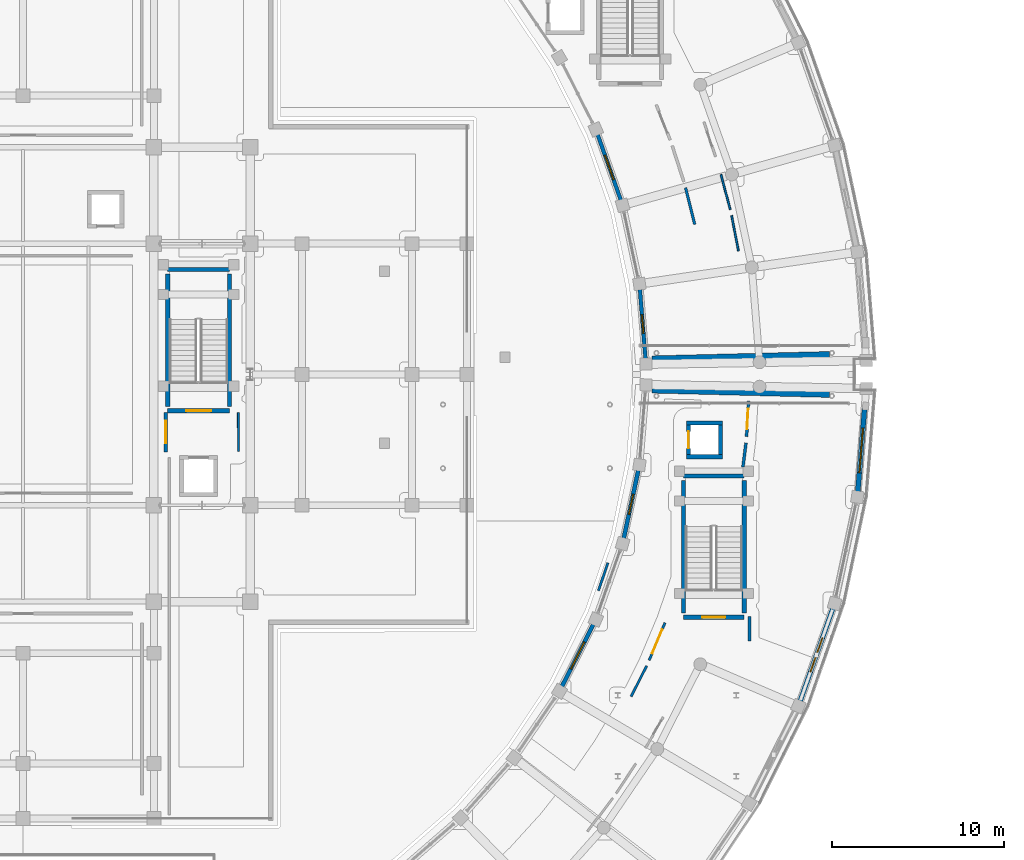
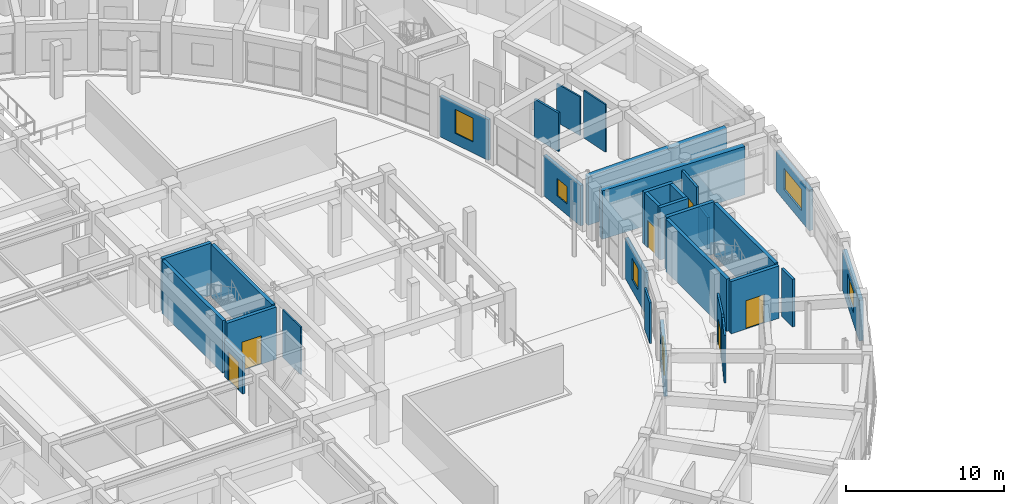
# One storey, part 62 of 87: 31 walls, 6 doors, 6 windows, 12 openings.
"""IFC4 building model written with IfcOpenShell, lengths in metres."""

import ifcopenshell
import ifcopenshell.guid

model = None  # the IFC model being written
_history = None  # IfcOwnerHistory: only IFC2X3 demands one
_inside = {}  # id of a spatial element -> (the spatial element, [elements in it])
_under = {}  # id of a project, library or spatial element -> (it, [spatial elements below it])
_declared = {}  # id of a project -> (the project, [libraries it declares])
_typed = {}  # id of a type object -> (the type object, [elements of that type])
_made_of = {}  # id of a material, layer set ... -> (it, [elements and type objects made of it])


def new_model(schema):
    """Start an empty IFC model of exactly this schema.

    Asked for "IFC4X3", IfcOpenShell would pick the latest addendum, in which some entities
    have other attributes; the version numbers below select the first issue.
    IFC2X3 requires an IfcOwnerHistory on every rooted entity: one is made here for all.
    """
    global model, _history
    if schema == "IFC4X3":
        model = ifcopenshell.file(schema_version=(4, 3, 0, 0))
    else:
        model = ifcopenshell.file(schema=schema)
    _inside.clear()
    _under.clear()
    _declared.clear()
    _typed.clear()
    _made_of.clear()
    _history = None
    if model.schema == "IFC2X3":
        org = make("IfcOrganization", Name="unknown")
        user = make(
            "IfcPersonAndOrganization",
            ThePerson=make("IfcPerson", FamilyName="unknown"),
            TheOrganization=org,
        )
        app = make(
            "IfcApplication",
            ApplicationDeveloper=org,
            Version="unknown",
            ApplicationFullName="unknown",
            ApplicationIdentifier="unknown",
        )
        _history = make(
            "IfcOwnerHistory",
            OwningUser=user,
            OwningApplication=app,
            ChangeAction="ADDED",
            CreationDate=0,
        )
    return model


def make(cls, **values):
    """One entity of the class cls with the attributes given. An attribute that is None is left unset."""
    return model.create_entity(
        cls, **{name: value for name, value in values.items() if value is not None}
    )


def rooted(cls, **values):
    """An entity with a GlobalId (a new one), such as an element, a storey or a relation."""
    return make(cls, GlobalId=ifcopenshell.guid.new(), OwnerHistory=_history, **values)


def si_unit(unit_type, name, prefix=None):
    """IfcSIUnit, for example si_unit("LENGTHUNIT", "METRE", prefix="MILLI")."""
    return make("IfcSIUnit", UnitType=unit_type, Prefix=prefix, Name=name)


def assignment(units):
    """IfcUnitAssignment: the units of a project."""
    return None if units is None else make("IfcUnitAssignment", Units=units)


def point(xyz):
    """IfcCartesianPoint."""
    return None if xyz is None else make("IfcCartesianPoint", Coordinates=xyz)


def direction(xyz):
    """IfcDirection."""
    return None if xyz is None else make("IfcDirection", DirectionRatios=xyz)


def frame(location, z_axis=None, x_axis=None):
    """IfcAxis2Placement3D, a coordinate frame: its origin and axes. An axis left out is left unset."""
    return make(
        "IfcAxis2Placement3D",
        Location=point(location),
        Axis=direction(z_axis),
        RefDirection=direction(x_axis),
    )


def frame_2d(location, x_axis=None):
    """IfcAxis2Placement2D, a coordinate frame in the plane: its origin and x axis."""
    return make(
        "IfcAxis2Placement2D", Location=point(location), RefDirection=direction(x_axis)
    )


def origin():
    """The frame at (0, 0, 0) with its axes left unset."""
    return frame((0.0, 0.0, 0.0))


def place(relative_to, where):
    """IfcLocalPlacement: puts the frame where relative to a parent placement (None: the world)."""
    return make(
        "IfcLocalPlacement", PlacementRelTo=relative_to, RelativePlacement=where
    )


def context(
    kind, dimensions, precision=None, world=None, true_north=None, identifier=None
):
    """IfcGeometricRepresentationContext, for example the 3D "Model" context."""
    return make(
        "IfcGeometricRepresentationContext",
        ContextIdentifier=identifier,
        ContextType=kind,
        CoordinateSpaceDimension=dimensions,
        Precision=precision,
        WorldCoordinateSystem=world,
        TrueNorth=true_north,
    )


def subcontext(parent, identifier, kind, view, scale=None):
    """IfcGeometricRepresentationSubContext, for example "Body" below "Model"."""
    return make(
        "IfcGeometricRepresentationSubContext",
        ContextIdentifier=identifier,
        ContextType=kind,
        ParentContext=parent,
        TargetScale=scale,
        TargetView=view,
    )


def project(units=None, contexts=None):
    """IfcProject with its units and contexts."""
    return rooted(
        "IfcProject",
        Name="project",
        RepresentationContexts=contexts,
        UnitsInContext=assignment(units),
    )


def spatial(cls, under=None, at=None, **own):
    """A site, building, storey or space (cls), placed at a placement, below another one or the project."""
    s = rooted(cls, ObjectPlacement=at, **own)
    if under is not None:
        _under.setdefault(under.id(), (under, []))[1].append(s)
    return s


def profile(cls, at=None, kind="AREA", **sizes):
    """A parametric profile (cls). Its sizes go by their IFC names, for example OverallWidth=200.0."""
    return make(cls, ProfileType=kind, Position=at, **sizes)


def rectangle(**sizes):
    """IfcRectangleProfileDef."""
    return profile("IfcRectangleProfileDef", **sizes)


def extrude(swept, where, along, depth):
    """IfcExtrudedAreaSolid: the profile swept, set in the frame where, extruded along a direction by depth."""
    return make(
        "IfcExtrudedAreaSolid",
        SweptArea=swept,
        Position=where,
        ExtrudedDirection=direction(along),
        Depth=depth,
    )


def shape(context_of_items, identifier, shape_type, items):
    """IfcShapeRepresentation: the items that make up one representation, for example the "Body"."""
    return make(
        "IfcShapeRepresentation",
        ContextOfItems=context_of_items,
        RepresentationIdentifier=identifier,
        RepresentationType=shape_type,
        Items=items,
    )


def material(Name=None, Category=None):
    """IfcMaterial."""
    return make("IfcMaterial", Name=Name, Category=Category)


def layer(
    of_material, thickness, ventilated=None, Name=None, Category=None, Priority=None
):
    """IfcMaterialLayer: one layer of a wall or slab, of a material (None: an air gap)."""
    return make(
        "IfcMaterialLayer",
        Material=of_material,
        LayerThickness=thickness,
        IsVentilated=ventilated,
        Name=Name,
        Category=Category,
        Priority=Priority,
    )


def layer_set(layers, Name=None):
    """IfcMaterialLayerSet."""
    return make("IfcMaterialLayerSet", MaterialLayers=layers, LayerSetName=Name)


def made_of(thing, what):
    """Note that an element or type object is made of a material, layer set ...; save() writes the relation."""
    if what is not None:
        _made_of.setdefault(what.id(), (what, []))[1].append(thing)
    return thing


def type_object(cls, material=None, **own):
    """A type object (cls), such as IfcWallType, which elements share."""
    return made_of(rooted(cls, **own), material)


def element(
    cls,
    number,
    at=None,
    inside=None,
    cuts=None,
    type_object=None,
    material=None,
    context=None,
    identifier="Body",
    shape_type=None,
    held_by="IfcProductDefinitionShape",
    body=None,
    shapes=None,
    **own,
):
    """One element of the class cls, such as IfcWall. Its Tag is "e" and its number.

    at: its placement. inside: the storey or other place that contains it. cuts: it is an
    opening in that element (IfcRelVoidsElement). A single representation is given by context,
    identifier, shape_type and body (its items); several are given by shapes. held_by: the class
    of the entity that holds the representations. save() writes the other relations.
    """
    e = rooted(cls, Tag="e%d" % number, ObjectPlacement=at, **own)
    if body is not None:
        shapes = [shape(context, identifier, shape_type, body)]
    if shapes is not None:
        e.Representation = make(held_by, Representations=shapes)
    if inside is not None:
        _inside.setdefault(inside.id(), (inside, []))[1].append(e)
    if cuts is not None:
        rooted(
            "IfcRelVoidsElement", RelatingBuildingElement=cuts, RelatedOpeningElement=e
        )
    if type_object is not None:
        _typed.setdefault(type_object.id(), (type_object, []))[1].append(e)
    return made_of(e, material)


def fill(opening, filler):
    """IfcRelFillsElement: the door or window that sits in an opening."""
    return rooted(
        "IfcRelFillsElement",
        RelatingOpeningElement=opening,
        RelatedBuildingElement=filler,
    )


def aggregate(whole, parts):
    """IfcRelAggregates: a whole, such as a stair, and the parts it consists of."""
    return rooted("IfcRelAggregates", RelatingObject=whole, RelatedObjects=parts)


def save(model, path):
    """Write the relations noted so far, then the file.

    IfcRelAggregates (storeys below a building ...), IfcRelContainedInSpatialStructure (elements
    in a storey), IfcRelDefinesByType, IfcRelAssociatesMaterial and IfcRelDeclares: one each for
    every whole, place, type object, material and project.
    """
    for whole, parts in _under.values():
        aggregate(whole, parts)
    for where, things in _inside.values():
        rooted(
            "IfcRelContainedInSpatialStructure",
            RelatedElements=things,
            RelatingStructure=where,
        )
    for kind, things in _typed.values():
        rooted("IfcRelDefinesByType", RelatedObjects=things, RelatingType=kind)
    for what, things in _made_of.values():
        rooted("IfcRelAssociatesMaterial", RelatedObjects=things, RelatingMaterial=what)
    for by, libraries in _declared.values():
        rooted("IfcRelDeclares", RelatingContext=by, RelatedDefinitions=libraries)
    model.write(path)


model = new_model("IFC4")

# Units and contexts
model_context = context("Model", 3, precision=1e-05, world=origin(), true_north=direction((0.0, 1.0)))
body_context = subcontext(model_context, "Body", "Model", "MODEL_VIEW")
ifc_project = project(units=[si_unit("LENGTHUNIT", "METRE"), si_unit("AREAUNIT", "SQUARE_METRE"), si_unit("VOLUMEUNIT", "CUBIC_METRE"), si_unit("PLANEANGLEUNIT", "RADIAN"), si_unit("MASSUNIT", "GRAM", prefix="KILO")], contexts=[model_context])

# Site, building, storey
site_placement = place(None, origin())
site = spatial("IfcSite", under=ifc_project, at=site_placement, CompositionType="ELEMENT")
building_placement = place(site_placement, origin())
building = spatial("IfcBuilding", under=site, at=building_placement, Name="Saryqyr Civic Hall", CompositionType="ELEMENT")
storey_placement = place(building_placement, frame((0.0, 0.0, 5.10009765625)))
storey = spatial("IfcBuildingStorey", under=building, at=storey_placement, Name="L01", CompositionType="ELEMENT", Elevation=5.10009765625)

# Wall, opening, window
ifc_material_1 = material(Name="Precast concrete C40/50", Category="concrete")
ifc_layer_1 = layer(ifc_material_1, 0.219970703125, Name="Precast concrete C40/50")
ifc_layer_set_1 = layer_set([ifc_layer_1], Name="Precast concrete C40/50")
wall_type_1 = type_object("IfcWallType", Name="ENV-WAL-EXT-220", PredefinedType="STANDARD", material=ifc_layer_set_1)
wall_1_placement = place(storey_placement, frame((93.171875, 84.88525390625, 0.0), z_axis=(0.0, 0.0, 1.0), x_axis=(-0.081095435938, 0.99670634104, 0.0)))
wall_1 = element("IfcWall", 1, at=wall_1_placement, inside=storey, type_object=wall_type_1, Name="Exterior wall V6-EWI-L01-00", PredefinedType="STANDARD", context=body_context, shape_type="SweptSolid", body=[
    extrude(rectangle(XDim=4.103271484375, YDim=0.219970703125, at=frame_2d((2.0517578125, 0.0))), origin(), (0.0, 0.0, 1.0), 3.14501953125),
])
opening_1_placement = place(wall_1_placement, frame((1.501953125, 0.0, 0.85009765625)))
opening_1 = element("IfcOpeningElement", 2, at=opening_1_placement, cuts=wall_1, Name="Opening W-01", PredefinedType="OPENING", context=body_context, shape_type="SweptSolid", body=[
    extrude(rectangle(XDim=1.10009765625, YDim=1.35009765625, at=frame_2d((0.550048828125, 0.675048828125))), frame((0.0, 0.119873046875, 0.0), z_axis=(0.0, -1.0, 0.0), x_axis=(1.0, 0.0, 0.0)), (0.0, 0.0, 1.0), 0.239990234375),
])
ifc_material_2 = material(Name="Anodised aluminium and triple low-E glass", Category="aluminium")
window_type_1 = type_object("IfcWindowType", Name="ENV-WIN-W01", PartitioningType="SINGLE_PANEL", PredefinedType="WINDOW", material=ifc_material_2)
window_1_placement = place(opening_1_placement, origin())
window_1 = element("IfcWindow", 3, at=window_1_placement, inside=storey, type_object=window_type_1, Name="Courtyard window V6-L01-00", OverallHeight=1.35009765625, OverallWidth=1.10009765625, PartitioningType="SINGLE_PANEL", PredefinedType="WINDOW", context=body_context, shape_type="SweptSolid", body=[
    extrude(rectangle(XDim=1.10009765625, YDim=1.35009765625, at=frame_2d((0.550048828125, 0.675048828125))), frame((0.0, 0.030029296875, 0.0), z_axis=(0.0, -1.0, 0.0), x_axis=(1.0, 0.0, 0.0)), (0.0, 0.0, 1.0), 0.06005859375),
])
fill(opening_1, window_1)

wall_2_placement = place(storey_placement, frame((91.738525390625, 94.1171875, 0.0), z_axis=(0.0, 0.0, 1.0), x_axis=(-0.333215363075, 0.942850742064, 0.0)))
wall_2 = element("IfcWall", 4, at=wall_2_placement, inside=storey, type_object=wall_type_1, Name="Exterior wall V6-EWI-L01-02", PredefinedType="STANDARD", context=body_context, shape_type="SweptSolid", body=[
    extrude(rectangle(XDim=4.07080078125, YDim=0.219970703125, at=frame_2d((2.035400390625, 0.0))), origin(), (0.0, 0.0, 1.0), 3.14501953125),
])
opening_2_placement = place(wall_2_placement, frame((1.284912109375, 0.0, 0.85009765625)))
opening_2 = element("IfcOpeningElement", 5, at=opening_2_placement, cuts=wall_2, Name="Opening W-26", PredefinedType="OPENING", context=body_context, shape_type="SweptSolid", body=[
    extrude(rectangle(XDim=1.5, YDim=1.85009765625, at=frame_2d((0.75, 0.925048828125))), frame((0.0, 0.119873046875, 0.0), z_axis=(0.0, -1.0, 0.0), x_axis=(1.0, 0.0, 0.0)), (0.0, 0.0, 1.0), 0.239990234375),
])
window_type_2 = type_object("IfcWindowType", Name="ENV-WIN-W26", PartitioningType="SINGLE_PANEL", PredefinedType="WINDOW", material=ifc_material_2)
window_2_placement = place(opening_2_placement, origin())
window_2 = element("IfcWindow", 6, at=window_2_placement, inside=storey, type_object=window_type_2, Name="Courtyard window V6-L01-02", OverallHeight=1.85009765625, OverallWidth=1.5, PartitioningType="SINGLE_PANEL", PredefinedType="WINDOW", context=body_context, shape_type="SweptSolid", body=[
    extrude(rectangle(XDim=1.5, YDim=1.85009765625, at=frame_2d((0.75, 0.925048828125))), frame((0.0, 0.030029296875, 0.0), z_axis=(0.0, -1.0, 0.0), x_axis=(1.0, 0.0, 0.0)), (0.0, 0.0, 1.0), 0.06005859375),
])
fill(opening_2, window_2)

ifc_layer_2 = layer(ifc_material_1, 0.239990234375, Name="Precast concrete C40/50")
ifc_layer_set_2 = layer_set([ifc_layer_2], Name="Precast concrete C40/50")
wall_type_2 = type_object("IfcWallType", Name="ENV-WAL-EXT-240", PredefinedType="STANDARD", material=ifc_layer_set_2)
wall_3_placement = place(storey_placement, frame((88.31298828125, 65.8740234375, 0.0), z_axis=(0.0, 0.0, 1.0), x_axis=(0.451901258468, 0.892067964112, 0.0)))
wall_3 = element("IfcWall", 7, at=wall_3_placement, inside=storey, type_object=wall_type_2, Name="Exterior wall V5-EWI-L01-06", PredefinedType="STANDARD", context=body_context, shape_type="SweptSolid", body=[
    extrude(rectangle(XDim=4.0361328125, YDim=0.239990234375, at=frame_2d((2.01806640625, 0.0))), origin(), (0.0, 0.0, 1.0), 3.14501953125),
])
opening_3_placement = place(wall_3_placement, frame((1.14306640625, 0.0, 0.85009765625)))
opening_3 = element("IfcOpeningElement", 8, at=opening_3_placement, cuts=wall_3, Name="Opening W-27", PredefinedType="OPENING", context=body_context, shape_type="SweptSolid", body=[
    extrude(rectangle(XDim=1.75, YDim=1.85009765625, at=frame_2d((0.875, 0.925048828125))), frame((0.0, 0.1298828125, 0.0), z_axis=(0.0, -1.0, 0.0), x_axis=(1.0, 0.0, 0.0)), (0.0, 0.0, 1.0), 0.260009765625),
])
window_type_3 = type_object("IfcWindowType", Name="ENV-WIN-W27", PartitioningType="SINGLE_PANEL", PredefinedType="WINDOW", material=ifc_material_2)
window_3_placement = place(opening_3_placement, origin())
window_3 = element("IfcWindow", 9, at=window_3_placement, inside=storey, type_object=window_type_3, Name="Courtyard window V5-L01-06", OverallHeight=1.85009765625, OverallWidth=1.75, PartitioningType="SINGLE_PANEL", PredefinedType="WINDOW", context=body_context, shape_type="SweptSolid", body=[
    extrude(rectangle(XDim=1.75, YDim=1.85009765625, at=frame_2d((0.875, 0.925048828125))), frame((0.0, 0.030029296875, 0.0), z_axis=(0.0, -1.0, 0.0), x_axis=(1.0, 0.0, 0.0)), (0.0, 0.0, 1.0), 0.06005859375),
])
fill(opening_3, window_3)

wall_4_placement = place(storey_placement, frame((91.900146484375, 74.452880859375, 0.0), z_axis=(0.0, 0.0, 1.0), x_axis=(0.208868999763, 0.977943628712, 0.0)))
wall_4 = element("IfcWall", 10, at=wall_4_placement, inside=storey, type_object=wall_type_2, Name="Exterior wall V5-EWI-L01-08", PredefinedType="STANDARD", context=body_context, shape_type="SweptSolid", body=[
    extrude(rectangle(XDim=4.09228515625, YDim=0.239990234375, at=frame_2d((2.046142578125, 0.0))), origin(), (0.0, 0.0, 1.0), 3.14501953125),
])
opening_4_placement = place(wall_4_placement, frame((1.446044921875, 0.0, 0.85009765625)))
opening_4 = element("IfcOpeningElement", 11, at=opening_4_placement, cuts=wall_4, Name="Opening W-17", PredefinedType="OPENING", context=body_context, shape_type="SweptSolid", body=[
    extrude(rectangle(XDim=1.199951171875, YDim=1.64990234375, at=frame_2d((0.60009765625, 0.824951171875))), frame((0.0, 0.1298828125, 0.0), z_axis=(0.0, -1.0, 0.0), x_axis=(1.0, 0.0, 0.0)), (0.0, 0.0, 1.0), 0.260009765625),
])
window_type_4 = type_object("IfcWindowType", Name="ENV-WIN-W17", PartitioningType="SINGLE_PANEL", PredefinedType="WINDOW", material=ifc_material_2)
window_4_placement = place(opening_4_placement, origin())
window_4 = element("IfcWindow", 12, at=window_4_placement, inside=storey, type_object=window_type_4, Name="Courtyard window V5-L01-08", OverallHeight=1.64990234375, OverallWidth=1.199951171875, PartitioningType="SINGLE_PANEL", PredefinedType="WINDOW", context=body_context, shape_type="SweptSolid", body=[
    extrude(rectangle(XDim=1.199951171875, YDim=1.64990234375, at=frame_2d((0.60009765625, 0.824951171875))), frame((0.0, 0.030029296875, 0.0), z_axis=(0.0, -1.0, 0.0), x_axis=(1.0, 0.0, 0.0)), (0.0, 0.0, 1.0), 0.06005859375),
])
fill(opening_4, window_4)

ifc_layer_3 = layer(ifc_material_1, 0.2900390625, Name="Precast concrete C40/50")
ifc_layer_set_3 = layer_set([ifc_layer_3], Name="Precast concrete C40/50")
wall_type_3 = type_object("IfcWallType", Name="ENV-WAL-EXT-290", PredefinedType="STANDARD", material=ifc_layer_set_3)
wall_5_placement = place(storey_placement, frame((104.057373046875, 70.40625, 0.0), z_axis=(0.0, 0.0, 1.0), x_axis=(-0.333208301023, -0.942853237853, 0.0)))
wall_5 = element("IfcWall", 13, at=wall_5_placement, inside=storey, type_object=wall_type_3, Name="Exterior wall V5-EWO-L01-07", PredefinedType="STANDARD", context=body_context, shape_type="SweptSolid", body=[
    extrude(rectangle(XDim=5.723876953125, YDim=0.2900390625, at=frame_2d((2.86181640625, 0.0))), origin(), (0.0, 0.0, 1.0), 3.14501953125),
])
opening_5_placement = place(wall_5_placement, frame((1.81201171875, 0.0, 0.85009765625)))
opening_5 = element("IfcOpeningElement", 14, at=opening_5_placement, cuts=wall_5, Name="Opening W-21", PredefinedType="OPENING", context=body_context, shape_type="SweptSolid", body=[
    extrude(rectangle(XDim=2.10009765625, YDim=1.64990234375, at=frame_2d((1.050048828125, 0.824951171875))), frame((0.0, 0.155029296875, 0.0), z_axis=(0.0, -1.0, 0.0), x_axis=(1.0, 0.0, 0.0)), (0.0, 0.0, 1.0), 0.31005859375),
])
window_type_5 = type_object("IfcWindowType", Name="ENV-WIN-W21", PartitioningType="SINGLE_PANEL", PredefinedType="WINDOW", material=ifc_material_2)
window_5_placement = place(opening_5_placement, origin())
window_5 = element("IfcWindow", 15, at=window_5_placement, inside=storey, type_object=window_type_5, Name="Exterior ribbon window V5-L01-07", OverallHeight=1.64990234375, OverallWidth=2.10009765625, PartitioningType="SINGLE_PANEL", PredefinedType="WINDOW", context=body_context, shape_type="SweptSolid", body=[
    extrude(rectangle(XDim=2.10009765625, YDim=1.64990234375, at=frame_2d((1.050048828125, 0.824951171875))), frame((0.0, 0.030029296875, 0.0), z_axis=(0.0, -1.0, 0.0), x_axis=(1.0, 0.0, 0.0)), (0.0, 0.0, 1.0), 0.06005859375),
])
fill(opening_5, window_5)

wall_6_placement = place(storey_placement, frame((105.897705078125, 82.01171875, 0.0), z_axis=(0.0, 0.0, 1.0), x_axis=(-0.081134010377, -0.996703201741, 0.0)))
wall_6 = element("IfcWall", 16, at=wall_6_placement, inside=storey, type_object=wall_type_3, Name="Exterior wall V5-EWO-L01-09", PredefinedType="STANDARD", context=body_context, shape_type="SweptSolid", body=[
    extrude(rectangle(XDim=4.86279296875, YDim=0.2900390625, at=frame_2d((2.431396484375, 0.0))), origin(), (0.0, 0.0, 1.0), 3.14501953125),
])
opening_6_placement = place(wall_6_placement, frame((1.131103515625, 0.0, 0.85009765625)))
opening_6 = element("IfcOpeningElement", 17, at=opening_6_placement, cuts=wall_6, Name="Opening W-23", PredefinedType="OPENING", context=body_context, shape_type="SweptSolid", body=[
    extrude(rectangle(XDim=2.60009765625, YDim=1.64990234375, at=frame_2d((1.300048828125, 0.824951171875))), frame((0.0, 0.155029296875, 0.0), z_axis=(0.0, -1.0, 0.0), x_axis=(1.0, 0.0, 0.0)), (0.0, 0.0, 1.0), 0.31005859375),
])
window_type_6 = type_object("IfcWindowType", Name="ENV-WIN-W23", PartitioningType="SINGLE_PANEL", PredefinedType="WINDOW", material=ifc_material_2)
window_6_placement = place(opening_6_placement, origin())
window_6 = element("IfcWindow", 18, at=window_6_placement, inside=storey, type_object=window_type_6, Name="Exterior ribbon window V5-L01-09", OverallHeight=1.64990234375, OverallWidth=2.60009765625, PartitioningType="SINGLE_PANEL", PredefinedType="WINDOW", context=body_context, shape_type="SweptSolid", body=[
    extrude(rectangle(XDim=2.60009765625, YDim=1.64990234375, at=frame_2d((1.300048828125, 0.824951171875))), frame((0.0, 0.030029296875, 0.0), z_axis=(0.0, -1.0, 0.0), x_axis=(1.0, 0.0, 0.0)), (0.0, 0.0, 1.0), 0.06005859375),
])
fill(opening_6, window_6)

# Walls
ifc_material_3 = material(Name="Concrete C40/50", Category="concrete")
ifc_layer_4 = layer(ifc_material_3, 0.3798828125, Name="Concrete C40/50")
ifc_layer_set_4 = layer_set([ifc_layer_4], Name="Concrete C40/50")
wall_type_4 = type_object("IfcWallType", Name="ENV-WAL-PTY-380", PredefinedType="SHEAR", material=ifc_layer_set_4)
for number, where, z_axis, x_axis, name in (
    (19, (93.5390625, 83.10693359375, 0.0), (0.0, 0.0, 1.0), (0.999701591947, -0.024427997417, 0.0), "Exterior wall V5-JNTW-B-L01"),
    (20, (103.85009765625, 85.14501953125, 0.0), (0.0, 0.0, 1.0), (-0.999701591947, -0.024427997417, 0.0), "Exterior wall V6-JNTW-A-L01"),
):
    element("IfcWall", number, at=place(storey_placement, frame(where, z_axis=z_axis, x_axis=x_axis)), inside=storey, type_object=wall_type_4, Name=name, PredefinedType="SHEAR", context=body_context, shape_type="SweptSolid", body=[
        extrude(rectangle(XDim=10.314208984375, YDim=0.3798828125, at=frame_2d((5.1572265625, 0.0))), origin(), (0.0, 0.0, 1.0), 3.75),
    ])

# Wall, opening, door
ifc_material_4 = material(Name="Autoclaved aerated concrete blockwork", Category="masonry")
ifc_layer_5 = layer(ifc_material_4, 0.199951171875, Name="Autoclaved aerated concrete blockwork")
ifc_layer_set_5 = layer_set([ifc_layer_5], Name="Autoclaved aerated concrete blockwork")
wall_type_5 = type_object("IfcWallType", Name="INT-WAL-FIR-200", PredefinedType="PARTITIONING", material=ifc_layer_set_5)
wall_7_placement = place(storey_placement, frame((65.300048828125, 79.5, 0.0), z_axis=(0.0, 0.0, 1.0), x_axis=(0.0, 1.0, 0.0)))
wall_7 = element("IfcWall", 21, at=wall_7_placement, inside=storey, type_object=wall_type_5, Name="Firefighting lift lobby enclosure wall LF-02 L01", PredefinedType="PARTITIONING", context=body_context, shape_type="SweptSolid", body=[
    extrude(rectangle(XDim=2.300048828125, YDim=0.199951171875, at=frame_2d((1.14990234375, 0.0))), origin(), (0.0, 0.0, 1.0), 2.89990234375),
])
opening_7_placement = place(wall_7_placement, frame((0.5, 0.0, 0.0)))
opening_7 = element("IfcOpeningElement", 22, at=opening_7_placement, cuts=wall_7, Name="Opening FD-01", PredefinedType="OPENING", context=body_context, shape_type="SweptSolid", body=[
    extrude(rectangle(XDim=1.300048828125, YDim=2.199951171875, at=frame_2d((0.64990234375, 1.10009765625))), frame((0.0, 0.10986328125, 0.0), z_axis=(0.0, -1.0, 0.0), x_axis=(1.0, 0.0, 0.0)), (0.0, 0.0, 1.0), 0.219970703125),
])
ifc_material_5 = material(Name="Painted galvanized steel", Category="steel")
door_type_1 = type_object("IfcDoorType", Name="INT-DR-FFLOB-1300x2200", OperationType="NOTDEFINED", PredefinedType="DOOR", material=ifc_material_5)
door_1_placement = place(opening_7_placement, origin())
door_1 = element("IfcDoor", 23, at=door_1_placement, inside=storey, type_object=door_type_1, Name="Firefighting lift lobby smoke-control door LF-02 L01", OperationType="SINGLE_SWING_RIGHT", OverallHeight=2.199951171875, OverallWidth=1.300048828125, PredefinedType="DOOR", context=body_context, shape_type="SweptSolid", body=[
    extrude(rectangle(XDim=1.300048828125, YDim=2.199951171875, at=frame_2d((0.64990234375, 1.10009765625))), frame((0.0, 0.02490234375, 0.0), z_axis=(0.0, -1.0, 0.0), x_axis=(1.0, 0.0, 0.0)), (0.0, 0.0, 1.0), 0.050048828125),
])
fill(opening_7, door_1)

# Walls
ifc_material_6 = material(Name="Moisture-resistant gypsum partition", Category="gypsum")
ifc_layer_6 = layer(ifc_material_6, 0.110107421875, Name="Moisture-resistant gypsum partition")
ifc_layer_set_6 = layer_set([ifc_layer_6], Name="Moisture-resistant gypsum partition")
wall_type_6 = type_object("IfcWallType", Name="INT-WAL-PRT-110", PredefinedType="PARTITIONING", material=ifc_layer_set_6)
wall_8_placement = place(storey_placement, frame((98.091064453125, 93.585693359375, 0.0), z_axis=(0.0, 0.0, 1.0), x_axis=(-0.255630783162, 0.96677448389, 0.0)))
element("IfcWall", 24, at=wall_8_placement, inside=storey, type_object=wall_type_6, Name="Interior partition PRT-SP-V6-L01-R01-W1", PredefinedType="PARTITIONING", context=body_context, shape_type="SweptSolid", body=[
    extrude(rectangle(XDim=2.10205078125, YDim=0.110107421875, at=frame_2d((1.051025390625, 0.0))), origin(), (0.0, 0.0, 1.0), 2.994873046875),
])
wall_9_placement = place(storey_placement, frame((98.571044921875, 91.17138671875, 0.0), z_axis=(0.0, 0.0, 1.0), x_axis=(-0.19012663252, 0.981759575256, 0.0)))
element("IfcWall", 25, at=wall_9_placement, inside=storey, type_object=wall_type_6, Name="Interior partition PRT-SP-V6-L01-R01-W3", PredefinedType="PARTITIONING", context=body_context, shape_type="SweptSolid", body=[
    extrude(rectangle(XDim=2.10205078125, YDim=0.110107421875, at=frame_2d((1.051025390625, 0.0))), origin(), (0.0, 0.0, 1.0), 3.679931640625),
])
wall_10_placement = place(storey_placement, frame((69.519287109375, 79.530029296875, 0.0), z_axis=(0.0, 0.0, 1.0), x_axis=(-0.003353870567, 0.99999437576, 0.0)))
element("IfcWall", 26, at=wall_10_placement, inside=storey, type_object=wall_type_6, Name="Interior partition PRT-SP-V2-L01-EGAL-W3", PredefinedType="PARTITIONING", context=body_context, shape_type="SweptSolid", body=[
    extrude(rectangle(XDim=2.256591796875, YDim=0.110107421875, at=frame_2d((1.12841796875, 0.0))), origin(), (0.0, 0.0, 1.0), 3.679931640625),
])

# Wall, opening, door
ifc_material_7 = material(Name="Metal-stud gypsum board partition", Category="gypsum")
ifc_layer_7 = layer(ifc_material_7, 0.139892578125, Name="Metal-stud gypsum board partition")
ifc_layer_set_7 = layer_set([ifc_layer_7], Name="Metal-stud gypsum board partition")
wall_type_7 = type_object("IfcWallType", Name="INT-WAL-PRT-140", PredefinedType="PARTITIONING", material=ifc_layer_set_7)
wall_11_placement = place(storey_placement, frame((94.302490234375, 69.575439453125, 0.0), z_axis=(0.0, 0.0, 1.0), x_axis=(-0.388172287911, -0.921586824395, 0.0)))
wall_11 = element("IfcWall", 27, at=wall_11_placement, inside=storey, type_object=wall_type_7, Name="Interior partition PRT-SP-V5-L01-R05-W1", PredefinedType="PARTITIONING", context=body_context, shape_type="SweptSolid", body=[
    extrude(rectangle(XDim=2.36669921875, YDim=0.139892578125, at=frame_2d((1.183349609375, 0.0))), origin(), (0.0, 0.0, 1.0), 3.679931640625),
])
opening_8_placement = place(wall_11_placement, frame((0.43310546875, 0.0, 0.0)))
opening_8 = element("IfcOpeningElement", 28, at=opening_8_placement, cuts=wall_11, Name="Opening D-08", PredefinedType="OPENING", context=body_context, shape_type="SweptSolid", body=[
    extrude(rectangle(XDim=1.5, YDim=2.10009765625, at=frame_2d((0.75, 1.050048828125))), frame((0.0, 0.079833984375, 0.0), z_axis=(0.0, -1.0, 0.0), x_axis=(1.0, 0.0, 0.0)), (0.0, 0.0, 1.0), 0.159912109375),
])
ifc_material_8 = material(Name="Acoustic solid-core oak veneer", Category="wood")
door_type_2 = type_object("IfcDoorType", Name="INT-DR-D-08", OperationType="NOTDEFINED", PredefinedType="DOOR", material=ifc_material_8)
door_2_placement = place(opening_8_placement, origin())
door_2 = element("IfcDoor", 29, at=door_2_placement, inside=storey, type_object=door_type_2, Name="Interior door Exhibition Curatorial Forum", OperationType="SINGLE_SWING_RIGHT", OverallHeight=2.10009765625, OverallWidth=1.5, PredefinedType="DOOR", context=body_context, shape_type="SweptSolid", body=[
    extrude(rectangle(XDim=1.5, YDim=2.10009765625, at=frame_2d((0.75, 1.050048828125))), frame((0.0, 0.02490234375, 0.0), z_axis=(0.0, -1.0, 0.0), x_axis=(1.0, 0.0, 0.0)), (0.0, 0.0, 1.0), 0.050048828125),
])
fill(opening_8, door_2)

# Walls
wall_12_placement = place(storey_placement, frame((90.431884765625, 71.437255859375, 0.0), z_axis=(0.0, 0.0, 1.0), x_axis=(0.324463429437, 0.945898241334, 0.0)))
element("IfcWall", 30, at=wall_12_placement, inside=storey, type_object=wall_type_7, Name="Interior partition PRT-SP-V5-L01-R05-W2", PredefinedType="PARTITIONING", context=body_context, shape_type="SweptSolid", body=[
    extrude(rectangle(XDim=1.705078125, YDim=0.139892578125, at=frame_2d((0.8525390625, 0.0))), origin(), (0.0, 0.0, 1.0), 3.14501953125),
])
wall_13_placement = place(storey_placement, frame((93.23291015625, 67.067626953125, 0.0), z_axis=(0.0, 0.0, 1.0), x_axis=(-0.449901200246, -0.89307833364, 0.0)))
element("IfcWall", 31, at=wall_13_placement, inside=storey, type_object=wall_type_7, Name="Interior partition PRT-SP-V5-L01-R05-W3", PredefinedType="PARTITIONING", context=body_context, shape_type="SweptSolid", body=[
    extrude(rectangle(XDim=1.9970703125, YDim=0.139892578125, at=frame_2d((0.99853515625, 0.0))), origin(), (0.0, 0.0, 1.0), 3.679931640625),
])
ifc_material_9 = material(Name="Acoustic double-stud gypsum board", Category="gypsum")
ifc_layer_8 = layer(ifc_material_9, 0.155029296875, Name="Acoustic double-stud gypsum board")
ifc_layer_set_8 = layer_set([ifc_layer_8], Name="Acoustic double-stud gypsum board")
wall_type_8 = type_object("IfcWallType", Name="INT-WAL-PRT-155", PredefinedType="PARTITIONING", material=ifc_layer_set_8)
wall_14_placement = place(storey_placement, frame((95.49462890625, 94.85107421875, 0.0), z_axis=(0.0, 0.0, 1.0), x_axis=(0.244627176871, -0.969617215367, 0.0)))
element("IfcWall", 32, at=wall_14_placement, inside=storey, type_object=wall_type_8, Name="Interior partition PRT-SP-V6-L01-R04-W3", PredefinedType="PARTITIONING", context=body_context, shape_type="SweptSolid", body=[
    extrude(rectangle(XDim=2.196533203125, YDim=0.155029296875, at=frame_2d((1.09814453125, 0.0))), origin(), (0.0, 0.0, 1.0), 2.994873046875),
])
ifc_layer_9 = layer(ifc_material_9, 0.169921875, Name="Acoustic double-stud gypsum board")
ifc_layer_set_9 = layer_set([ifc_layer_9], Name="Acoustic double-stud gypsum board")
wall_type_9 = type_object("IfcWallType", Name="INT-WAL-PRT-170", PredefinedType="PARTITIONING", material=ifc_layer_set_9)
wall_15_placement = place(storey_placement, frame((98.833251953125, 78.625732421875, 0.0), z_axis=(0.0, 0.0, 1.0), x_axis=(0.122949227409, 0.992412962168, 0.0)))
element("IfcWall", 33, at=wall_15_placement, inside=storey, type_object=wall_type_9, Name="Interior partition PRT-SP-V5-L01-R03-W1", PredefinedType="PARTITIONING", context=body_context, shape_type="SweptSolid", body=[
    extrude(rectangle(XDim=1.411865234375, YDim=0.169921875, at=frame_2d((0.7060546875, 0.0))), origin(), (0.0, 0.0, 1.0), 2.449951171875),
])

# Wall, opening, door
wall_16_placement = place(storey_placement, frame((99.039306640625, 80.385009765625, 0.0), z_axis=(0.0, 0.0, 1.0), x_axis=(0.056708032982, 0.998390804743, 0.0)))
wall_16 = element("IfcWall", 34, at=wall_16_placement, inside=storey, type_object=wall_type_9, Name="Interior partition PRT-SP-V5-L01-R03-W2", PredefinedType="PARTITIONING", context=body_context, shape_type="SweptSolid", body=[
    extrude(rectangle(XDim=2.0751953125, YDim=0.169921875, at=frame_2d((1.03759765625, 0.0))), origin(), (0.0, 0.0, 1.0), 3.679931640625),
])
opening_9_placement = place(wall_16_placement, frame((0.43701171875, 0.0, 0.0)))
opening_9 = element("IfcOpeningElement", 35, at=opening_9_placement, cuts=wall_16, Name="Opening D-06", PredefinedType="OPENING", context=body_context, shape_type="SweptSolid", body=[
    extrude(rectangle(XDim=1.199951171875, YDim=2.10009765625, at=frame_2d((0.60009765625, 1.050048828125))), frame((0.0, 0.094970703125, 0.0), z_axis=(0.0, -1.0, 0.0), x_axis=(1.0, 0.0, 0.0)), (0.0, 0.0, 1.0), 0.18994140625),
])
door_type_3 = type_object("IfcDoorType", Name="INT-DR-D-06", OperationType="NOTDEFINED", PredefinedType="DOOR", material=ifc_material_8)
door_3_placement = place(opening_9_placement, origin())
door_3 = element("IfcDoor", 36, at=door_3_placement, inside=storey, type_object=door_type_3, Name="Interior door Public & Accessible MGN WC L01-E", OperationType="SINGLE_SWING_RIGHT", OverallHeight=2.10009765625, OverallWidth=1.199951171875, PredefinedType="DOOR", context=body_context, shape_type="SweptSolid", body=[
    extrude(rectangle(XDim=1.199951171875, YDim=2.10009765625, at=frame_2d((0.60009765625, 1.050048828125))), frame((0.0, 0.02490234375, 0.0), z_axis=(0.0, -1.0, 0.0), x_axis=(1.0, 0.0, 0.0)), (0.0, 0.0, 1.0), 0.050048828125),
])
fill(opening_9, door_3)

# Walls
wall_17_placement = place(storey_placement, frame((99.219970703125, 68.502685546875, 0.0), z_axis=(0.0, 0.0, 1.0), x_axis=(-0.000171791786, 0.999999985244, 0.0)))
element("IfcWall", 37, at=wall_17_placement, inside=storey, type_object=wall_type_9, Name="Interior partition PRT-SP-V5-L01-R03-W3", PredefinedType="PARTITIONING", context=body_context, shape_type="SweptSolid", body=[
    extrude(rectangle(XDim=1.421142578125, YDim=0.169921875, at=frame_2d((0.71044921875, 0.0))), origin(), (0.0, 0.0, 1.0), 3.679931640625),
])
ifc_layer_10 = layer(ifc_material_3, 0.239990234375, Name="Concrete C40/50")
ifc_layer_set_10 = layer_set([ifc_layer_10], Name="Concrete C40/50")
wall_type_10 = type_object("IfcWallType", Name="INT-WAL-SHR-240", PredefinedType="SHEAR", material=ifc_layer_set_10)
wall_18_placement = place(storey_placement, frame((97.64990234375, 79.219970703125, 0.0), z_axis=(0.0, 0.0, 1.0), x_axis=(-1.0, 0.0, 0.0)))
element("IfcWall", 38, at=wall_18_placement, inside=storey, type_object=wall_type_10, Name="Lift shaft shear wall LF-07-SHW-S-L01", PredefinedType="SHEAR", context=body_context, shape_type="SweptSolid", body=[
    extrude(rectangle(XDim=2.099853515625, YDim=0.239990234375, at=frame_2d((1.0498046875, 0.0))), origin(), (0.0, 0.0, 1.0), 4.0498046875),
])
wall_19_placement = place(storey_placement, frame((97.530029296875, 81.06005859375, 0.0), z_axis=(0.0, 0.0, 1.0), x_axis=(0.0, -1.0, 0.0)))
element("IfcWall", 39, at=wall_19_placement, inside=storey, type_object=wall_type_10, Name="Lift shaft shear wall LF-07-SHW-E-L01", PredefinedType="SHEAR", context=body_context, shape_type="SweptSolid", body=[
    extrude(rectangle(XDim=1.719970703125, YDim=0.239990234375, at=frame_2d((0.85986328125, 0.0))), origin(), (0.0, 0.0, 1.0), 4.0498046875),
])
wall_20_placement = place(storey_placement, frame((95.550048828125, 81.179931640625, 0.0), z_axis=(0.0, 0.0, 1.0), x_axis=(1.0, 0.0, 0.0)))
element("IfcWall", 40, at=wall_20_placement, inside=storey, type_object=wall_type_10, Name="Lift shaft shear wall LF-07-SHW-N-L01", PredefinedType="SHEAR", context=body_context, shape_type="SweptSolid", body=[
    extrude(rectangle(XDim=2.099853515625, YDim=0.239990234375, at=frame_2d((1.0498046875, 0.0))), origin(), (0.0, 0.0, 1.0), 4.0498046875),
])

# Wall, opening, door
wall_21_placement = place(storey_placement, frame((95.669921875, 79.340087890625, 0.0), z_axis=(0.0, 0.0, 1.0), x_axis=(0.0, 1.0, 0.0)))
wall_21 = element("IfcWall", 41, at=wall_21_placement, inside=storey, type_object=wall_type_10, Name="Lift shaft shear wall LF-07-SHW-W-L01", PredefinedType="SHEAR", context=body_context, shape_type="SweptSolid", body=[
    extrude(rectangle(XDim=1.719970703125, YDim=0.239990234375, at=frame_2d((0.85986328125, 0.0))), origin(), (0.0, 0.0, 1.0), 4.0498046875),
])
opening_10_placement = place(wall_21_placement, frame((0.360107421875, 0.0, 0.0)))
opening_10 = element("IfcOpeningElement", 42, at=opening_10_placement, cuts=wall_21, Name="Opening LD-02", PredefinedType="OPENING", context=body_context, shape_type="SweptSolid", body=[
    extrude(rectangle(XDim=1.0, YDim=2.14990234375, at=frame_2d((0.5, 1.074951171875))), frame((0.0, 0.1298828125, 0.0), z_axis=(0.0, -1.0, 0.0), x_axis=(1.0, 0.0, 0.0)), (0.0, 0.0, 1.0), 0.260009765625),
])
ifc_material_10 = material(Name="Brushed stainless steel", Category="steel")
door_type_4 = type_object("IfcDoorType", Name="INT-DR-LD-1000x2150", OperationType="NOTDEFINED", PredefinedType="DOOR", material=ifc_material_10)
door_4_placement = place(opening_10_placement, origin())
door_4 = element("IfcDoor", 43, at=door_4_placement, inside=storey, type_object=door_type_4, Name="Lift sliding landing door LF-07 L01", OperationType="SLIDING_TO_LEFT", OverallHeight=2.14990234375, OverallWidth=1.0, PredefinedType="DOOR", context=body_context, shape_type="SweptSolid", body=[
    extrude(rectangle(XDim=1.0, YDim=2.14990234375, at=frame_2d((0.5, 1.074951171875))), frame((0.0, 0.02490234375, 0.0), z_axis=(0.0, -1.0, 0.0), x_axis=(1.0, 0.0, 0.0)), (0.0, 0.0, 1.0), 0.050048828125),
])
fill(opening_10, door_4)

ifc_layer_11 = layer(ifc_material_3, 0.25, Name="Concrete C40/50")
ifc_layer_set_11 = layer_set([ifc_layer_11], Name="Concrete C40/50")
wall_type_11 = type_object("IfcWallType", Name="INT-WAL-SHR-250", PredefinedType="SHEAR", material=ifc_layer_set_11)
wall_22_placement = place(storey_placement, frame((69.0, 81.89990234375, 0.0), z_axis=(0.0, 0.0, 1.0), x_axis=(-1.0, 0.0, 0.0)))
wall_22 = element("IfcWall", 44, at=wall_22_placement, inside=storey, type_object=wall_type_11, Name="Protected stair shaft wall ST-2-SW1-L01", PredefinedType="SHEAR", context=body_context, shape_type="SweptSolid", body=[
    extrude(rectangle(XDim=3.60009765625, YDim=0.25, at=frame_2d((1.800048828125, 0.0))), origin(), (0.0, 0.0, 1.0), 4.0498046875),
])
opening_11_placement = place(wall_22_placement, frame((1.074951171875, 0.0, 0.0)))
opening_11 = element("IfcOpeningElement", 45, at=opening_11_placement, cuts=wall_22, Name="Opening SD-02", PredefinedType="OPENING", context=body_context, shape_type="SweptSolid", body=[
    extrude(rectangle(XDim=1.449951171875, YDim=2.199951171875, at=frame_2d((0.72509765625, 1.10009765625))), frame((0.0, 0.135009765625, 0.0), z_axis=(0.0, -1.0, 0.0), x_axis=(1.0, 0.0, 0.0)), (0.0, 0.0, 1.0), 0.27001953125),
])
door_type_5 = type_object("IfcDoorType", Name="INT-DR-STAIR-1450x2200", OperationType="NOTDEFINED", PredefinedType="DOOR", material=ifc_material_5)
door_5_placement = place(opening_11_placement, origin())
door_5 = element("IfcDoor", 46, at=door_5_placement, inside=storey, type_object=door_type_5, Name="Exit stair landing fire door ST-2-L01", OperationType="SINGLE_SWING_RIGHT", OverallHeight=2.199951171875, OverallWidth=1.449951171875, PredefinedType="DOOR", context=body_context, shape_type="SweptSolid", body=[
    extrude(rectangle(XDim=1.449951171875, YDim=2.199951171875, at=frame_2d((0.72509765625, 1.10009765625))), frame((0.0, 0.02490234375, 0.0), z_axis=(0.0, -1.0, 0.0), x_axis=(1.0, 0.0, 0.0)), (0.0, 0.0, 1.0), 0.050048828125),
])
fill(opening_11, door_5)

# Walls
wall_23_placement = place(storey_placement, frame((65.39990234375, 82.14990234375, 0.0), z_axis=(0.0, 0.0, 1.0), x_axis=(0.0, 1.0, 0.0)))
element("IfcWall", 47, at=wall_23_placement, inside=storey, type_object=wall_type_11, Name="Protected stair shaft wall ST-2-SW2-L01", PredefinedType="SHEAR", context=body_context, shape_type="SweptSolid", body=[
    extrude(rectangle(XDim=7.7001953125, YDim=0.25, at=frame_2d((3.85009765625, 0.0))), origin(), (0.0, 0.0, 1.0), 4.0498046875),
])
wall_24_placement = place(storey_placement, frame((65.39990234375, 90.10009765625, 0.0), z_axis=(0.0, 0.0, 1.0), x_axis=(1.0, 0.0, 0.0)))
element("IfcWall", 48, at=wall_24_placement, inside=storey, type_object=wall_type_11, Name="Protected stair shaft wall ST-2-SW3-L01", PredefinedType="SHEAR", context=body_context, shape_type="SweptSolid", body=[
    extrude(rectangle(XDim=3.60009765625, YDim=0.25, at=frame_2d((1.800048828125, 0.0))), origin(), (0.0, 0.0, 1.0), 4.0498046875),
])
wall_25_placement = place(storey_placement, frame((69.0, 89.85009765625, 0.0), z_axis=(0.0, 0.0, 1.0), x_axis=(0.0, -1.0, 0.0)))
element("IfcWall", 49, at=wall_25_placement, inside=storey, type_object=wall_type_11, Name="Protected stair shaft wall ST-2-SW4-L01", PredefinedType="SHEAR", context=body_context, shape_type="SweptSolid", body=[
    extrude(rectangle(XDim=7.7001953125, YDim=0.25, at=frame_2d((3.85009765625, 0.0))), origin(), (0.0, 0.0, 1.0), 4.0498046875),
])

# Wall, opening, door
wall_26_placement = place(storey_placement, frame((98.89990234375, 69.89990234375, 0.0), z_axis=(0.0, 0.0, 1.0), x_axis=(-1.0, 0.0, 0.0)))
wall_26 = element("IfcWall", 50, at=wall_26_placement, inside=storey, type_object=wall_type_11, Name="Protected stair shaft wall ST-5-SW1-L01", PredefinedType="SHEAR", context=body_context, shape_type="SweptSolid", body=[
    extrude(rectangle(XDim=3.52001953125, YDim=0.25, at=frame_2d((1.760009765625, 0.0))), origin(), (0.0, 0.0, 1.0), 4.0498046875),
])
opening_12_placement = place(wall_26_placement, frame((1.0849609375, 0.0, 0.0)))
opening_12 = element("IfcOpeningElement", 51, at=opening_12_placement, cuts=wall_26, Name="Opening SD-01", PredefinedType="OPENING", context=body_context, shape_type="SweptSolid", body=[
    extrude(rectangle(XDim=1.35009765625, YDim=2.199951171875, at=frame_2d((0.675048828125, 1.10009765625))), frame((0.0, 0.135009765625, 0.0), z_axis=(0.0, -1.0, 0.0), x_axis=(1.0, 0.0, 0.0)), (0.0, 0.0, 1.0), 0.27001953125),
])
door_type_6 = type_object("IfcDoorType", Name="INT-DR-STAIR-1350x2200", OperationType="NOTDEFINED", PredefinedType="DOOR", material=ifc_material_5)
door_6_placement = place(opening_12_placement, origin())
door_6 = element("IfcDoor", 52, at=door_6_placement, inside=storey, type_object=door_type_6, Name="Exit stair landing fire door ST-5-L01", OperationType="SINGLE_SWING_LEFT", OverallHeight=2.199951171875, OverallWidth=1.35009765625, PredefinedType="DOOR", context=body_context, shape_type="SweptSolid", body=[
    extrude(rectangle(XDim=1.35009765625, YDim=2.199951171875, at=frame_2d((0.675048828125, 1.10009765625))), frame((0.0, 0.02490234375, 0.0), z_axis=(0.0, -1.0, 0.0), x_axis=(1.0, 0.0, 0.0)), (0.0, 0.0, 1.0), 0.050048828125),
])
fill(opening_12, door_6)

# Walls
wall_27_placement = place(storey_placement, frame((95.3798828125, 70.14990234375, 0.0), z_axis=(0.0, 0.0, 1.0), x_axis=(0.0, 1.0, 0.0)))
element("IfcWall", 53, at=wall_27_placement, inside=storey, type_object=wall_type_11, Name="Protected stair shaft wall ST-5-SW2-L01", PredefinedType="SHEAR", context=body_context, shape_type="SweptSolid", body=[
    extrude(rectangle(XDim=7.7001953125, YDim=0.25, at=frame_2d((3.85009765625, 0.0))), origin(), (0.0, 0.0, 1.0), 4.0498046875),
])
wall_28_placement = place(storey_placement, frame((95.3798828125, 78.10009765625, 0.0), z_axis=(0.0, 0.0, 1.0), x_axis=(1.0, 0.0, 0.0)))
element("IfcWall", 54, at=wall_28_placement, inside=storey, type_object=wall_type_11, Name="Protected stair shaft wall ST-5-SW3-L01", PredefinedType="SHEAR", context=body_context, shape_type="SweptSolid", body=[
    extrude(rectangle(XDim=3.52001953125, YDim=0.25, at=frame_2d((1.760009765625, 0.0))), origin(), (0.0, 0.0, 1.0), 4.0498046875),
])
wall_29_placement = place(storey_placement, frame((98.89990234375, 77.85009765625, 0.0), z_axis=(0.0, 0.0, 1.0), x_axis=(0.0, -1.0, 0.0)))
element("IfcWall", 55, at=wall_29_placement, inside=storey, type_object=wall_type_11, Name="Protected stair shaft wall ST-5-SW4-L01", PredefinedType="SHEAR", context=body_context, shape_type="SweptSolid", body=[
    extrude(rectangle(XDim=7.7001953125, YDim=0.25, at=frame_2d((3.85009765625, 0.0))), origin(), (0.0, 0.0, 1.0), 4.0498046875),
])

save(model, "model.ifc")
